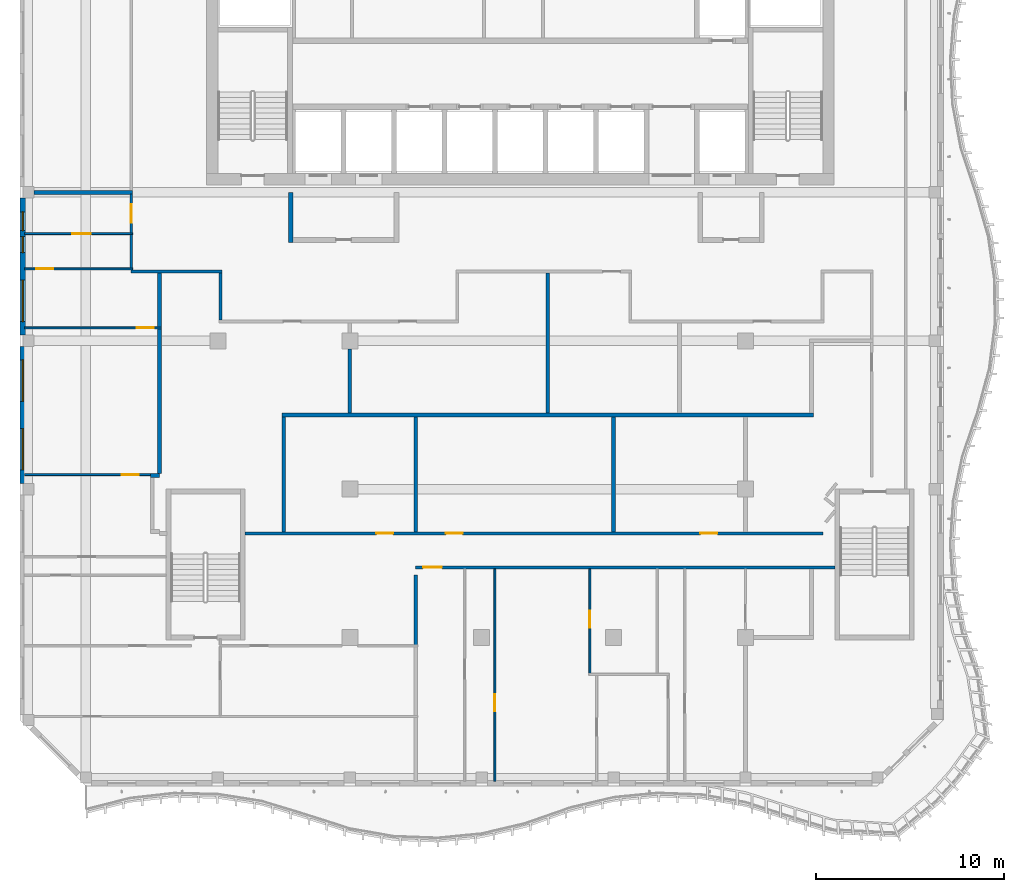
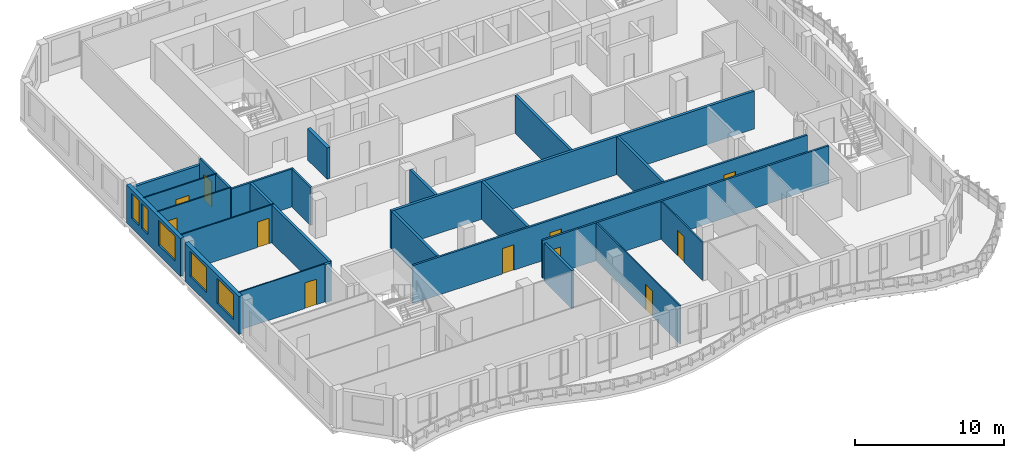
# One storey, part 3 of 17: 26 walls, 11 doors, 5 windows, 16 openings.
"""IFC4 building model written with IfcOpenShell, lengths in metres."""

from ifc_helpers import new_model, si_unit, direction, frame, frame_2d, origin, place, context, subcontext, project, spatial, rectangle, extrude, source, transform, mapped, material, layer, layer_set, type_object, element, fill, save


model = new_model("IFC4")

# Units and contexts
model_context = context("Model", 3, precision=1e-05, world=origin(), true_north=direction((0.0, 1.0)))
body_context = subcontext(model_context, "Body", "Model", "MODEL_VIEW")
ifc_project = project(units=[si_unit("LENGTHUNIT", "METRE"), si_unit("AREAUNIT", "SQUARE_METRE"), si_unit("VOLUMEUNIT", "CUBIC_METRE"), si_unit("PLANEANGLEUNIT", "RADIAN"), si_unit("MASSUNIT", "GRAM", prefix="KILO")], contexts=[model_context])

# Site, building, storey
site_placement = place(None, origin())
site = spatial("IfcSite", under=ifc_project, at=site_placement, CompositionType="ELEMENT")
building_placement = place(site_placement, origin())
building = spatial("IfcBuilding", under=site, at=building_placement, Name="Kilnfold Tower and Market Hall", CompositionType="ELEMENT")
storey_placement = place(building_placement, frame((0.0, 0.0, 308.60009765625)))
storey = spatial("IfcBuildingStorey", under=building, at=storey_placement, Name="L77", CompositionType="ELEMENT", Elevation=308.60009765625)

# Walls
ifc_material_1 = material(Name="Gypsum board on steel studs", Category="steel")
ifc_layer_1 = layer(ifc_material_1, 0.14990234375)
ifc_layer_set_1 = layer_set([ifc_layer_1], Name="Gypsum board on steel studs")
wall_type_1 = type_object("IfcWallType", Name="WALL CORRIDOR 150", PredefinedType="PARTITIONING", material=ifc_layer_set_1)
wall_1_placement = place(storey_placement, frame((-19.60009765625, 3.800048828125, 0.0), z_axis=(0.0, 0.0, 1.0), x_axis=(1.0, 0.0, 0.0)))
element("IfcWall", 1, at=wall_1_placement, inside=storey, type_object=wall_type_1, Name="Partition LY46.1", PredefinedType="PARTITIONING", context=body_context, shape_type="SweptSolid", body=[
    extrude(rectangle(XDim=4.815185546875, YDim=0.14990234375, at=frame_2d((2.40771484375, 0.0))), origin(), (0.0, 0.0, 1.0), 3.119873046875),
])
wall_2_placement = place(storey_placement, frame((-19.60009765625, 3.97802734375, 0.0), z_axis=(0.0, 0.0, 1.0), x_axis=(0.0, 1.0, 0.0)))
element("IfcWall", 2, at=wall_2_placement, inside=storey, type_object=wall_type_1, Name="Partition LY46.2", PredefinedType="PARTITIONING", context=body_context, shape_type="SweptSolid", body=[
    extrude(rectangle(XDim=1.7939453125, YDim=0.14990234375, at=frame_2d((0.89697265625, 0.0))), origin(), (0.0, 0.0, 1.0), 3.119873046875),
])

# Wall, opening, door
wall_3_placement = place(storey_placement, frame((-19.60009765625, 5.85205078125, 0.0), z_axis=(0.0, 0.0, 1.0), x_axis=(0.0, 1.0, 0.0)))
wall_3 = element("IfcWall", 3, at=wall_3_placement, inside=storey, type_object=wall_type_1, Name="Partition LY46.3", PredefinedType="PARTITIONING", context=body_context, shape_type="SweptSolid", body=[
    extrude(rectangle(XDim=2.057861328125, YDim=0.14990234375, at=frame_2d((1.02880859375, 0.0))), origin(), (0.0, 0.0, 1.0), 3.119873046875),
])
opening_1_placement = place(wall_3_placement, frame((0.529052734375, 0.0, 0.0)))
opening_1 = element("IfcOpeningElement", 4, at=opening_1_placement, cuts=wall_3, Name="Opening D1", PredefinedType="OPENING", context=body_context, shape_type="SweptSolid", body=[
    extrude(rectangle(XDim=1.0, YDim=2.10009765625, at=frame_2d((0.5, 1.050048828125))), frame((0.0, 0.0849609375, 0.0), z_axis=(0.0, -1.0, 0.0), x_axis=(1.0, 0.0, 0.0)), (0.0, 0.0, 1.0), 0.169921875),
])
ifc_material_2 = material(Name="Timber veneer door leaf in steel frame", Category="steel")
door_type_1 = type_object("IfcDoorType", Name="DOOR ENTRY 1000 X2100", OperationType="NOTDEFINED", PredefinedType="DOOR", material=ifc_material_2)
door_1_placement = place(opening_1_placement, origin())
door_1 = element("IfcDoor", 5, at=door_1_placement, inside=storey, type_object=door_type_1, Name="Door D1", OperationType="SINGLE_SWING_RIGHT", OverallHeight=2.10009765625, OverallWidth=1.0, PredefinedType="DOOR", context=body_context, shape_type="SweptSolid", body=[
    extrude(rectangle(XDim=1.0, YDim=2.10009765625, at=frame_2d((0.5, 1.050048828125))), frame((0.0, 0.02490234375, 0.0), z_axis=(0.0, -1.0, 0.0), x_axis=(1.0, 0.0, 0.0)), (0.0, 0.0, 1.0), 0.050048828125),
])
fill(opening_1, door_1)

wall_4_placement = place(storey_placement, frame((-4.510009765625, -11.89990234375, 0.0), z_axis=(0.0, 0.0, 1.0), x_axis=(1.0, 0.0, 0.0)))
wall_4 = element("IfcWall", 6, at=wall_4_placement, inside=storey, type_object=wall_type_1, Name="Partition LY46.4", PredefinedType="PARTITIONING", context=body_context, shape_type="SweptSolid", body=[
    extrude(rectangle(XDim=22.260009765625, YDim=0.14990234375, at=frame_2d((11.1298828125, 0.0))), origin(), (0.0, 0.0, 1.0), 3.119873046875),
])
opening_2_placement = place(wall_4_placement, frame((0.403076171875, 0.0, 0.0)))
opening_2 = element("IfcOpeningElement", 7, at=opening_2_placement, cuts=wall_4, Name="Opening D1", PredefinedType="OPENING", context=body_context, shape_type="SweptSolid", body=[
    extrude(rectangle(XDim=1.0, YDim=2.10009765625, at=frame_2d((0.5, 1.050048828125))), frame((0.0, 0.0849609375, 0.0), z_axis=(0.0, -1.0, 0.0), x_axis=(1.0, 0.0, 0.0)), (0.0, 0.0, 1.0), 0.169921875),
])
door_2_placement = place(opening_2_placement, origin())
door_2 = element("IfcDoor", 8, at=door_2_placement, inside=storey, type_object=door_type_1, Name="Door D1", OperationType="SINGLE_SWING_LEFT", OverallHeight=2.10009765625, OverallWidth=1.0, PredefinedType="DOOR", context=body_context, shape_type="SweptSolid", body=[
    extrude(rectangle(XDim=1.0, YDim=2.10009765625, at=frame_2d((0.5, 1.050048828125))), frame((0.0, 0.02490234375, 0.0), z_axis=(0.0, -1.0, 0.0), x_axis=(1.0, 0.0, 0.0)), (0.0, 0.0, 1.0), 0.050048828125),
])
fill(opening_2, door_2)

# Wall
wall_5_placement = place(storey_placement, frame((-14.860107421875, 3.72509765625, 0.0), z_axis=(0.0, 0.0, 1.0), x_axis=(0.0, -1.0, 0.0)))
element("IfcWall", 9, at=wall_5_placement, inside=storey, type_object=wall_type_1, Name="Partition LY46.11", PredefinedType="PARTITIONING", context=body_context, shape_type="SweptSolid", body=[
    extrude(rectangle(XDim=2.5, YDim=0.14990234375, at=frame_2d((1.25, 0.0))), origin(), (0.0, 0.0, 1.0), 3.119873046875),
])

# Wall, openings, doors
wall_6_placement = place(storey_placement, frame((-13.550048828125, -10.10009765625, 0.0), z_axis=(0.0, 0.0, 1.0), x_axis=(1.0, 0.0, 0.0)))
wall_6 = element("IfcWall", 10, at=wall_6_placement, inside=storey, type_object=wall_type_1, Name="Partition LY46.12", PredefinedType="PARTITIONING", context=body_context, shape_type="SweptSolid", body=[
    extrude(rectangle(XDim=30.650146484375, YDim=0.14990234375, at=frame_2d((15.3251953125, 0.0))), origin(), (0.0, 0.0, 1.0), 3.119873046875),
])
opening_3_placement = place(wall_6_placement, frame((6.9560546875, 0.0, 0.0)))
opening_3 = element("IfcOpeningElement", 11, at=opening_3_placement, cuts=wall_6, Name="Opening D2", PredefinedType="OPENING", context=body_context, shape_type="SweptSolid", body=[
    extrude(rectangle(XDim=0.89990234375, YDim=2.10009765625, at=frame_2d((0.449951171875, 1.050048828125))), frame((0.0, 0.0849609375, 0.0), z_axis=(0.0, -1.0, 0.0), x_axis=(1.0, 0.0, 0.0)), (0.0, 0.0, 1.0), 0.169921875),
])
opening_4_placement = place(wall_6_placement, frame((10.64306640625, 0.0, 0.0)))
opening_4 = element("IfcOpeningElement", 12, at=opening_4_placement, cuts=wall_6, Name="Opening D2", PredefinedType="OPENING", context=body_context, shape_type="SweptSolid", body=[
    extrude(rectangle(XDim=0.89990234375, YDim=2.10009765625, at=frame_2d((0.449951171875, 1.050048828125))), frame((0.0, 0.0849609375, 0.0), z_axis=(0.0, -1.0, 0.0), x_axis=(1.0, 0.0, 0.0)), (0.0, 0.0, 1.0), 0.169921875),
])
opening_5_placement = place(wall_6_placement, frame((24.155029296875, 0.0, 0.0)))
opening_5 = element("IfcOpeningElement", 13, at=opening_5_placement, cuts=wall_6, Name="Opening D2", PredefinedType="OPENING", context=body_context, shape_type="SweptSolid", body=[
    extrude(rectangle(XDim=0.89990234375, YDim=2.10009765625, at=frame_2d((0.449951171875, 1.050048828125))), frame((0.0, 0.0849609375, 0.0), z_axis=(0.0, -1.0, 0.0), x_axis=(1.0, 0.0, 0.0)), (0.0, 0.0, 1.0), 0.169921875),
])
ifc_material_3 = material(Name="Timber veneer door leaf in steel frame", Category="steel")
door_type_2 = type_object("IfcDoorType", Name="DOOR ROOM 900 X2100", OperationType="NOTDEFINED", PredefinedType="DOOR", material=ifc_material_3)
door_3_placement = place(opening_3_placement, origin())
door_3 = element("IfcDoor", 14, at=door_3_placement, inside=storey, type_object=door_type_2, Name="Door D2", OperationType="SINGLE_SWING_LEFT", OverallHeight=2.10009765625, OverallWidth=0.89990234375, PredefinedType="DOOR", context=body_context, shape_type="SweptSolid", body=[
    extrude(rectangle(XDim=0.89990234375, YDim=2.10009765625, at=frame_2d((0.449951171875, 1.050048828125))), frame((0.0, 0.02490234375, 0.0), z_axis=(0.0, -1.0, 0.0), x_axis=(1.0, 0.0, 0.0)), (0.0, 0.0, 1.0), 0.050048828125),
])
fill(opening_3, door_3)
door_4_placement = place(opening_4_placement, origin())
door_4 = element("IfcDoor", 15, at=door_4_placement, inside=storey, type_object=door_type_2, Name="Door D2", OperationType="SINGLE_SWING_LEFT", OverallHeight=2.10009765625, OverallWidth=0.89990234375, PredefinedType="DOOR", context=body_context, shape_type="SweptSolid", body=[
    extrude(rectangle(XDim=0.89990234375, YDim=2.10009765625, at=frame_2d((0.449951171875, 1.050048828125))), frame((0.0, 0.02490234375, 0.0), z_axis=(0.0, -1.0, 0.0), x_axis=(1.0, 0.0, 0.0)), (0.0, 0.0, 1.0), 0.050048828125),
])
fill(opening_4, door_4)
door_5_placement = place(opening_5_placement, origin())
door_5 = element("IfcDoor", 16, at=door_5_placement, inside=storey, type_object=door_type_2, Name="Door D2", OperationType="SINGLE_SWING_RIGHT", OverallHeight=2.10009765625, OverallWidth=0.89990234375, PredefinedType="DOOR", context=body_context, shape_type="SweptSolid", body=[
    extrude(rectangle(XDim=0.89990234375, YDim=2.10009765625, at=frame_2d((0.449951171875, 1.050048828125))), frame((0.0, 0.02490234375, 0.0), z_axis=(0.0, -1.0, 0.0), x_axis=(1.0, 0.0, 0.0)), (0.0, 0.0, 1.0), 0.050048828125),
])
fill(opening_5, door_5)

# Wall, opening, door
ifc_material_4 = material(Name="Gypsum board on steel studs", Category="steel")
ifc_layer_2 = layer(ifc_material_4, 0.10009765625)
ifc_layer_set_2 = layer_set([ifc_layer_2], Name="Gypsum board on steel studs")
wall_type_2 = type_object("IfcWallType", Name="WALL PARTITION 100", PredefinedType="PARTITIONING", material=ifc_layer_set_2)
wall_7_placement = place(storey_placement, frame((-18.58203125, -6.98095703125, 0.0), z_axis=(0.0, 0.0, 1.0), x_axis=(-1.0, 0.0, 0.0)))
wall_7 = element("IfcWall", 17, at=wall_7_placement, inside=storey, type_object=wall_type_2, Name="Partition LY46.35", PredefinedType="PARTITIONING", context=body_context, shape_type="SweptSolid", body=[
    extrude(rectangle(XDim=6.66796875, YDim=0.10009765625, at=frame_2d((3.333984375, 0.0))), origin(), (0.0, 0.0, 1.0), 3.119873046875),
])
opening_6_placement = place(wall_7_placement, frame((0.6259765625, 0.0, 0.0)))
opening_6 = element("IfcOpeningElement", 18, at=opening_6_placement, cuts=wall_7, Name="Opening D2", PredefinedType="OPENING", context=body_context, shape_type="SweptSolid", body=[
    extrude(rectangle(XDim=0.89990234375, YDim=2.10009765625, at=frame_2d((0.449951171875, 1.050048828125))), frame((0.0, 0.06005859375, 0.0), z_axis=(0.0, -1.0, 0.0), x_axis=(1.0, 0.0, 0.0)), (0.0, 0.0, 1.0), 0.1201171875),
])
door_6_placement = place(opening_6_placement, origin())
door_6 = element("IfcDoor", 19, at=door_6_placement, inside=storey, type_object=door_type_2, Name="Door D2", OperationType="SINGLE_SWING_RIGHT", OverallHeight=2.10009765625, OverallWidth=0.89990234375, PredefinedType="DOOR", context=body_context, shape_type="SweptSolid", body=[
    extrude(rectangle(XDim=0.89990234375, YDim=2.10009765625, at=frame_2d((0.449951171875, 1.050048828125))), frame((0.0, 0.02490234375, 0.0), z_axis=(0.0, -1.0, 0.0), x_axis=(1.0, 0.0, 0.0)), (0.0, 0.0, 1.0), 0.050048828125),
])
fill(opening_6, door_6)

wall_8_placement = place(storey_placement, frame((-18.0, 0.81201171875, 0.0), z_axis=(0.0, 0.0, 1.0), x_axis=(-1.0, 0.0, 0.0)))
wall_8 = element("IfcWall", 20, at=wall_8_placement, inside=storey, type_object=wall_type_2, Name="Partition LY46.40", PredefinedType="PARTITIONING", context=body_context, shape_type="SweptSolid", body=[
    extrude(rectangle(XDim=7.25, YDim=0.10009765625, at=frame_2d((3.625, 0.0))), origin(), (0.0, 0.0, 1.0), 3.119873046875),
])
opening_7_placement = place(wall_8_placement, frame((0.402099609375, 0.0, 0.0)))
opening_7 = element("IfcOpeningElement", 21, at=opening_7_placement, cuts=wall_8, Name="Opening D2", PredefinedType="OPENING", context=body_context, shape_type="SweptSolid", body=[
    extrude(rectangle(XDim=0.89990234375, YDim=2.10009765625, at=frame_2d((0.449951171875, 1.050048828125))), frame((0.0, 0.06005859375, 0.0), z_axis=(0.0, -1.0, 0.0), x_axis=(1.0, 0.0, 0.0)), (0.0, 0.0, 1.0), 0.1201171875),
])
door_7_placement = place(opening_7_placement, origin())
door_7 = element("IfcDoor", 22, at=door_7_placement, inside=storey, type_object=door_type_2, Name="Door D2", OperationType="SINGLE_SWING_RIGHT", OverallHeight=2.10009765625, OverallWidth=0.89990234375, PredefinedType="DOOR", context=body_context, shape_type="SweptSolid", body=[
    extrude(rectangle(XDim=0.89990234375, YDim=2.10009765625, at=frame_2d((0.449951171875, 1.050048828125))), frame((0.0, 0.02490234375, 0.0), z_axis=(0.0, -1.0, 0.0), x_axis=(1.0, 0.0, 0.0)), (0.0, 0.0, 1.0), 0.050048828125),
])
fill(opening_7, door_7)

wall_9_placement = place(storey_placement, frame((-19.527099609375, 3.93798828125, 0.0), z_axis=(0.0, 0.0, 1.0), x_axis=(-1.0, 0.0, 0.0)))
wall_9 = element("IfcWall", 23, at=wall_9_placement, inside=storey, type_object=wall_type_2, Name="Partition LY46.42", PredefinedType="PARTITIONING", context=body_context, shape_type="SweptSolid", body=[
    extrude(rectangle(XDim=5.722900390625, YDim=0.10009765625, at=frame_2d((2.861328125, 0.0))), origin(), (0.0, 0.0, 1.0), 3.119873046875),
])
opening_8_placement = place(wall_9_placement, frame((4.220947265625, 0.0, 0.0)))
opening_8 = element("IfcOpeningElement", 24, at=opening_8_placement, cuts=wall_9, Name="Opening D2", PredefinedType="OPENING", context=body_context, shape_type="SweptSolid", body=[
    extrude(rectangle(XDim=0.89990234375, YDim=2.10009765625, at=frame_2d((0.449951171875, 1.050048828125))), frame((0.0, 0.06005859375, 0.0), z_axis=(0.0, -1.0, 0.0), x_axis=(1.0, 0.0, 0.0)), (0.0, 0.0, 1.0), 0.1201171875),
])
door_8_placement = place(opening_8_placement, origin())
door_8 = element("IfcDoor", 25, at=door_8_placement, inside=storey, type_object=door_type_2, Name="Door D2", OperationType="SINGLE_SWING_RIGHT", OverallHeight=2.10009765625, OverallWidth=0.89990234375, PredefinedType="DOOR", context=body_context, shape_type="SweptSolid", body=[
    extrude(rectangle(XDim=0.89990234375, YDim=2.10009765625, at=frame_2d((0.449951171875, 1.050048828125))), frame((0.0, 0.02490234375, 0.0), z_axis=(0.0, -1.0, 0.0), x_axis=(1.0, 0.0, 0.0)), (0.0, 0.0, 1.0), 0.050048828125),
])
fill(opening_8, door_8)

wall_10_placement = place(storey_placement, frame((-19.527099609375, 5.81201171875, 0.0), z_axis=(0.0, 0.0, 1.0), x_axis=(-1.0, 0.0, 0.0)))
wall_10 = element("IfcWall", 26, at=wall_10_placement, inside=storey, type_object=wall_type_2, Name="Partition LY46.44", PredefinedType="PARTITIONING", context=body_context, shape_type="SweptSolid", body=[
    extrude(rectangle(XDim=5.722900390625, YDim=0.10009765625, at=frame_2d((2.861328125, 0.0))), origin(), (0.0, 0.0, 1.0), 3.119873046875),
])
opening_9_placement = place(wall_10_placement, frame((2.2109375, 0.0, 0.0)))
opening_9 = element("IfcOpeningElement", 27, at=opening_9_placement, cuts=wall_10, Name="Opening D1", PredefinedType="OPENING", context=body_context, shape_type="SweptSolid", body=[
    extrude(rectangle(XDim=1.0, YDim=2.10009765625, at=frame_2d((0.5, 1.050048828125))), frame((0.0, 0.06005859375, 0.0), z_axis=(0.0, -1.0, 0.0), x_axis=(1.0, 0.0, 0.0)), (0.0, 0.0, 1.0), 0.1201171875),
])
door_9_placement = place(opening_9_placement, origin())
door_9 = element("IfcDoor", 28, at=door_9_placement, inside=storey, type_object=door_type_1, Name="Door D1", OperationType="SINGLE_SWING_RIGHT", OverallHeight=2.10009765625, OverallWidth=1.0, PredefinedType="DOOR", context=body_context, shape_type="SweptSolid", body=[
    extrude(rectangle(XDim=1.0, YDim=2.10009765625, at=frame_2d((0.5, 1.050048828125))), frame((0.0, 0.02490234375, 0.0), z_axis=(0.0, -1.0, 0.0), x_axis=(1.0, 0.0, 0.0)), (0.0, 0.0, 1.0), 0.050048828125),
])
fill(opening_9, door_9)

wall_11_placement = place(storey_placement, frame((-0.300048828125, -23.25, 0.0), z_axis=(0.0, 0.0, 1.0), x_axis=(0.0, 1.0, 0.0)))
wall_11 = element("IfcWall", 29, at=wall_11_placement, inside=storey, type_object=wall_type_2, Name="Partition LY46.47", PredefinedType="PARTITIONING", context=body_context, shape_type="SweptSolid", body=[
    extrude(rectangle(XDim=11.27294921875, YDim=0.10009765625, at=frame_2d((5.636474609375, 0.0))), origin(), (0.0, 0.0, 1.0), 3.119873046875),
])
opening_10_placement = place(wall_11_placement, frame((3.72607421875, 0.0, 0.0)))
opening_10 = element("IfcOpeningElement", 30, at=opening_10_placement, cuts=wall_11, Name="Opening D2", PredefinedType="OPENING", context=body_context, shape_type="SweptSolid", body=[
    extrude(rectangle(XDim=0.89990234375, YDim=2.10009765625, at=frame_2d((0.449951171875, 1.050048828125))), frame((0.0, 0.06005859375, 0.0), z_axis=(0.0, -1.0, 0.0), x_axis=(1.0, 0.0, 0.0)), (0.0, 0.0, 1.0), 0.1201171875),
])
door_10_placement = place(opening_10_placement, origin())
door_10 = element("IfcDoor", 31, at=door_10_placement, inside=storey, type_object=door_type_2, Name="Door D2", OperationType="SINGLE_SWING_RIGHT", OverallHeight=2.10009765625, OverallWidth=0.89990234375, PredefinedType="DOOR", context=body_context, shape_type="SweptSolid", body=[
    extrude(rectangle(XDim=0.89990234375, YDim=2.10009765625, at=frame_2d((0.449951171875, 1.050048828125))), frame((0.0, 0.02490234375, 0.0), z_axis=(0.0, -1.0, 0.0), x_axis=(1.0, 0.0, 0.0)), (0.0, 0.0, 1.0), 0.050048828125),
])
fill(opening_10, door_10)

wall_12_placement = place(storey_placement, frame((4.739990234375, -17.52587890625, 0.0), z_axis=(0.0, 0.0, 1.0), x_axis=(0.0, 1.0, 0.0)))
wall_12 = element("IfcWall", 32, at=wall_12_placement, inside=storey, type_object=wall_type_2, Name="Partition LY46.49", PredefinedType="PARTITIONING", context=body_context, shape_type="SweptSolid", body=[
    extrude(rectangle(XDim=5.548828125, YDim=0.10009765625, at=frame_2d((2.7744140625, 0.0))), origin(), (0.0, 0.0, 1.0), 3.119873046875),
])
opening_11_placement = place(wall_12_placement, frame((2.426025390625, 0.0, 0.0)))
opening_11 = element("IfcOpeningElement", 33, at=opening_11_placement, cuts=wall_12, Name="Opening D2", PredefinedType="OPENING", context=body_context, shape_type="SweptSolid", body=[
    extrude(rectangle(XDim=0.89990234375, YDim=2.10009765625, at=frame_2d((0.449951171875, 1.050048828125))), frame((0.0, 0.06005859375, 0.0), z_axis=(0.0, -1.0, 0.0), x_axis=(1.0, 0.0, 0.0)), (0.0, 0.0, 1.0), 0.1201171875),
])
door_11_placement = place(opening_11_placement, origin())
door_11 = element("IfcDoor", 34, at=door_11_placement, inside=storey, type_object=door_type_2, Name="Door D2", OperationType="SINGLE_SWING_LEFT", OverallHeight=2.10009765625, OverallWidth=0.89990234375, PredefinedType="DOOR", context=body_context, shape_type="SweptSolid", body=[
    extrude(rectangle(XDim=0.89990234375, YDim=2.10009765625, at=frame_2d((0.449951171875, 1.050048828125))), frame((0.0, 0.02490234375, 0.0), z_axis=(0.0, -1.0, 0.0), x_axis=(1.0, 0.0, 0.0)), (0.0, 0.0, 1.0), 0.050048828125),
])
fill(opening_11, door_11)

# Walls
ifc_material_5 = material(Name="Gypsum board on steel studs", Category="steel")
ifc_layer_3 = layer(ifc_material_5, 0.199951171875)
ifc_layer_set_3 = layer_set([ifc_layer_3], Name="Gypsum board on steel studs")
wall_type_3 = type_object("IfcWallType", Name="WALL PARTY 200", PredefinedType="PARTITIONING", material=ifc_layer_set_3)
wall_13_placement = place(storey_placement, frame((-4.5, -16.011962890625, 0.0), z_axis=(0.0, 0.0, 1.0), x_axis=(0.0, 1.0, 0.0)))
element("IfcWall", 35, at=wall_13_placement, inside=storey, type_object=wall_type_3, Name="Partition LY46.33", PredefinedType="PARTITIONING", context=body_context, shape_type="SweptSolid", body=[
    extrude(rectangle(XDim=3.699951171875, YDim=0.199951171875, at=frame_2d((1.85009765625, 0.0))), origin(), (0.0, 0.0, 1.0), 3.119873046875),
])
wall_14_placement = place(storey_placement, frame((-18.58203125, -7.029052734375, 0.0), z_axis=(0.0, 0.0, 1.0), x_axis=(1.0, 0.0, 0.0)))
element("IfcWall", 36, at=wall_14_placement, inside=storey, type_object=wall_type_3, Name="Partition LY46.36", PredefinedType="PARTITIONING", context=body_context, shape_type="SweptSolid", body=[
    extrude(rectangle(XDim=0.48193359375, YDim=0.199951171875, at=frame_2d((0.240966796875, 0.0))), origin(), (0.0, 0.0, 1.0), 3.119873046875),
])
wall_15_placement = place(storey_placement, frame((-18.10009765625, -6.930908203125, 0.0), z_axis=(0.0, 0.0, 1.0), x_axis=(0.0, 1.0, 0.0)))
element("IfcWall", 37, at=wall_15_placement, inside=storey, type_object=wall_type_3, Name="Partition LY46.41", PredefinedType="PARTITIONING", context=body_context, shape_type="SweptSolid", body=[
    extrude(rectangle(XDim=7.69287109375, YDim=0.199951171875, at=frame_2d((3.846435546875, 0.0))), origin(), (0.0, 0.0, 1.0), 3.119873046875),
])
wall_16_placement = place(storey_placement, frame((-18.10009765625, 0.862060546875, 0.0), z_axis=(0.0, 0.0, 1.0), x_axis=(0.0, 1.0, 0.0)))
element("IfcWall", 38, at=wall_16_placement, inside=storey, type_object=wall_type_3, Name="Partition LY46.43", PredefinedType="PARTITIONING", context=body_context, shape_type="SweptSolid", body=[
    extrude(rectangle(XDim=2.86083984375, YDim=0.199951171875, at=frame_2d((1.430419921875, 0.0))), origin(), (0.0, 0.0, 1.0), 3.119873046875),
])
wall_17_placement = place(storey_placement, frame((-19.527099609375, 8.0, 0.0), z_axis=(0.0, 0.0, 1.0), x_axis=(-1.0, 0.0, 0.0)))
element("IfcWall", 39, at=wall_17_placement, inside=storey, type_object=wall_type_3, Name="Partition LY46.45", PredefinedType="PARTITIONING", context=body_context, shape_type="SweptSolid", body=[
    extrude(rectangle(XDim=5.222900390625, YDim=0.199951171875, at=frame_2d((2.611328125, 0.0))), origin(), (0.0, 0.0, 1.0), 2.56982421875),
])
wall_18_placement = place(storey_placement, frame((-8.0, -3.7119140625, 0.0), z_axis=(0.0, 0.0, 1.0), x_axis=(0.0, 1.0, 0.0)))
element("IfcWall", 40, at=wall_18_placement, inside=storey, type_object=wall_type_3, Name="Partition LY46.61", PredefinedType="PARTITIONING", context=body_context, shape_type="SweptSolid", body=[
    extrude(rectangle(XDim=3.411865234375, YDim=0.199951171875, at=frame_2d((1.7060546875, 0.0))), origin(), (0.0, 0.0, 1.0), 3.119873046875),
])
wall_19_placement = place(storey_placement, frame((-11.60009765625, -3.81201171875, 0.0), z_axis=(0.0, 0.0, 1.0), x_axis=(1.0, 0.0, 0.0)))
element("IfcWall", 41, at=wall_19_placement, inside=storey, type_object=wall_type_3, Name="Partition LY46.62", PredefinedType="PARTITIONING", context=body_context, shape_type="SweptSolid", body=[
    extrude(rectangle(XDim=28.2001953125, YDim=0.199951171875, at=frame_2d((14.10009765625, 0.0))), origin(), (0.0, 0.0, 1.0), 3.119873046875),
])
wall_20_placement = place(storey_placement, frame((-11.5, -10.02294921875, 0.0), z_axis=(0.0, 0.0, 1.0), x_axis=(0.0, 1.0, 0.0)))
element("IfcWall", 42, at=wall_20_placement, inside=storey, type_object=wall_type_3, Name="Partition LY46.63", PredefinedType="PARTITIONING", context=body_context, shape_type="SweptSolid", body=[
    extrude(rectangle(XDim=6.11083984375, YDim=0.199951171875, at=frame_2d((3.055419921875, 0.0))), origin(), (0.0, 0.0, 1.0), 3.119873046875),
])
wall_21_placement = place(storey_placement, frame((2.5, -3.7119140625, 0.0), z_axis=(0.0, 0.0, 1.0), x_axis=(0.0, 1.0, 0.0)))
element("IfcWall", 43, at=wall_21_placement, inside=storey, type_object=wall_type_3, Name="Partition LY46.64", PredefinedType="PARTITIONING", context=body_context, shape_type="SweptSolid", body=[
    extrude(rectangle(XDim=7.434814453125, YDim=0.199951171875, at=frame_2d((3.71728515625, 0.0))), origin(), (0.0, 0.0, 1.0), 3.119873046875),
])
for number, where, z_axis, x_axis, name in (
    (44, (-4.5, -10.02294921875, 0.0), (0.0, 0.0, 1.0), (0.0, 1.0, 0.0), "Partition LY46.65"),
    (45, (6.0, -10.02294921875, 0.0), (0.0, 0.0, 1.0), (0.0, 1.0, 0.0), "Partition LY46.66"),
):
    element("IfcWall", number, at=place(storey_placement, frame(where, z_axis=z_axis, x_axis=x_axis)), inside=storey, type_object=wall_type_3, Name=name, PredefinedType="PARTITIONING", context=body_context, shape_type="SweptSolid", body=[
        extrude(rectangle(XDim=6.11083984375, YDim=0.199951171875, at=frame_2d((3.055419921875, 0.0))), origin(), (0.0, 0.0, 1.0), 3.119873046875),
    ])

# Wall, openings, windows
ifc_material_6 = material(Name="Precast concrete C50/60", Category="concrete")
ifc_layer_4 = layer(ifc_material_6, 0.300048828125)
ifc_layer_set_4 = layer_set([ifc_layer_4], Name="Precast concrete C50/60")
wall_type_4 = type_object("IfcWallType", Name="PRECAST WALL 300", PredefinedType="SOLIDWALL", material=ifc_layer_set_4)
shared_shape_1 = source(origin(), body_context, "Body", "SweptSolid", [
    extrude(rectangle(XDim=7.27490234375, YDim=0.300048828125, at=frame_2d((3.637451171875, 0.0))), origin(), (0.0, 0.0, 1.0), 3.119873046875),
])
wall_22_placement = place(storey_placement, frame((-25.35009765625, 7.699951171875, 0.0), z_axis=(0.0, 0.0, 1.0), x_axis=(0.0, -1.0, 0.0)))
wall_22 = element("IfcWall", 46, at=wall_22_placement, inside=storey, type_object=wall_type_4, Name="External wall L77 W", PredefinedType="SOLIDWALL", context=body_context, shape_type="MappedRepresentation", body=[
    mapped(shared_shape_1, transform((0.0, 0.0, 0.0))),
])
opening_12_placement = place(wall_22_placement, frame((0.728271484375, 0.0, 0.800048828125)))
opening_12 = element("IfcOpeningElement", 47, at=opening_12_placement, cuts=wall_22, Name="Opening W3-A", PredefinedType="OPENING", context=body_context, shape_type="SweptSolid", body=[
    extrude(rectangle(XDim=1.0, YDim=2.050048828125, at=frame_2d((0.5, 1.02490234375))), frame((0.0, 0.16015625, 0.0), z_axis=(0.0, -1.0, 0.0), x_axis=(1.0, 0.0, 0.0)), (0.0, 0.0, 1.0), 0.320068359375),
])
opening_13_placement = place(wall_22_placement, frame((4.356201171875, 0.0, 0.800048828125)))
opening_13 = element("IfcOpeningElement", 48, at=opening_13_placement, cuts=wall_22, Name="Opening W3", PredefinedType="OPENING", context=body_context, shape_type="SweptSolid", body=[
    extrude(rectangle(XDim=2.199951171875, YDim=2.050048828125, at=frame_2d((1.10009765625, 1.02490234375))), frame((0.0, 0.16015625, 0.0), z_axis=(0.0, -1.0, 0.0), x_axis=(1.0, 0.0, 0.0)), (0.0, 0.0, 1.0), 0.320068359375),
])
opening_14_placement = place(wall_22_placement, frame((2.053466796875, 0.0, 0.800048828125)))
opening_14 = element("IfcOpeningElement", 49, at=opening_14_placement, cuts=wall_22, Name="Opening W3-B", PredefinedType="OPENING", context=body_context, shape_type="SweptSolid", body=[
    extrude(rectangle(XDim=0.85009765625, YDim=2.050048828125, at=frame_2d((0.425048828125, 1.02490234375))), frame((0.0, 0.16015625, 0.0), z_axis=(0.0, -1.0, 0.0), x_axis=(1.0, 0.0, 0.0)), (0.0, 0.0, 1.0), 0.320068359375),
])
ifc_material_7 = material(Name="Aluminium frame and double glazing", Category="aluminium")
window_type_1 = type_object("IfcWindowType", Name="WINDOW W3 2200X2050", PartitioningType="SINGLE_PANEL", PredefinedType="WINDOW", material=ifc_material_7)
window_1_placement = place(opening_13_placement, origin())
window_1 = element("IfcWindow", 50, at=window_1_placement, inside=storey, type_object=window_type_1, Name="Window W3 L77 W-2", OverallHeight=2.050048828125, OverallWidth=2.199951171875, PartitioningType="SINGLE_PANEL", PredefinedType="WINDOW", context=body_context, shape_type="SweptSolid", body=[
    extrude(rectangle(XDim=2.199951171875, YDim=2.050048828125, at=frame_2d((1.10009765625, 1.02490234375))), frame((0.0, 0.030029296875, 0.0), z_axis=(0.0, -1.0, 0.0), x_axis=(1.0, 0.0, 0.0)), (0.0, 0.0, 1.0), 0.06005859375),
])
fill(opening_13, window_1)
ifc_material_8 = material(Name="Aluminium frame and double glazing", Category="aluminium")
window_type_2 = type_object("IfcWindowType", Name="WINDOW W3-A 1000X2050", PartitioningType="SINGLE_PANEL", PredefinedType="WINDOW", material=ifc_material_8)
window_2_placement = place(opening_12_placement, origin())
window_2 = element("IfcWindow", 51, at=window_2_placement, inside=storey, type_object=window_type_2, Name="Window W3-A L77 W-1", OverallHeight=2.050048828125, OverallWidth=1.0, PartitioningType="SINGLE_PANEL", PredefinedType="WINDOW", context=body_context, shape_type="SweptSolid", body=[
    extrude(rectangle(XDim=1.0, YDim=2.050048828125, at=frame_2d((0.5, 1.02490234375))), frame((0.0, 0.030029296875, 0.0), z_axis=(0.0, -1.0, 0.0), x_axis=(1.0, 0.0, 0.0)), (0.0, 0.0, 1.0), 0.06005859375),
])
fill(opening_12, window_2)
ifc_material_9 = material(Name="Aluminium frame and double glazing", Category="aluminium")
window_type_3 = type_object("IfcWindowType", Name="WINDOW W3-B 850X2050", PartitioningType="SINGLE_PANEL", PredefinedType="WINDOW", material=ifc_material_9)
window_3_placement = place(opening_14_placement, origin())
window_3 = element("IfcWindow", 52, at=window_3_placement, inside=storey, type_object=window_type_3, Name="Window W3-A L77 W-1", OverallHeight=2.050048828125, OverallWidth=0.85009765625, PartitioningType="SINGLE_PANEL", PredefinedType="WINDOW", context=body_context, shape_type="SweptSolid", body=[
    extrude(rectangle(XDim=0.85009765625, YDim=2.050048828125, at=frame_2d((0.425048828125, 1.02490234375))), frame((0.0, 0.030029296875, 0.0), z_axis=(0.0, -1.0, 0.0), x_axis=(1.0, 0.0, 0.0)), (0.0, 0.0, 1.0), 0.06005859375),
])
fill(opening_14, window_3)

wall_23_placement = place(storey_placement, frame((-25.35009765625, -0.175048828125, 0.0), z_axis=(0.0, 0.0, 1.0), x_axis=(0.0, -1.0, 0.0)))
wall_23 = element("IfcWall", 53, at=wall_23_placement, inside=storey, type_object=wall_type_4, Name="External wall L77 W", PredefinedType="SOLIDWALL", context=body_context, shape_type="MappedRepresentation", body=[
    mapped(shared_shape_1, transform((0.0, 0.0, 0.0))),
])
opening_15_placement = place(wall_23_placement, frame((0.71875, 0.0, 0.800048828125)))
opening_15 = element("IfcOpeningElement", 54, at=opening_15_placement, cuts=wall_23, Name="Opening W3", PredefinedType="OPENING", context=body_context, shape_type="SweptSolid", body=[
    extrude(rectangle(XDim=2.199951171875, YDim=2.050048828125, at=frame_2d((1.10009765625, 1.02490234375))), frame((0.0, 0.16015625, 0.0), z_axis=(0.0, -1.0, 0.0), x_axis=(1.0, 0.0, 0.0)), (0.0, 0.0, 1.0), 0.320068359375),
])
opening_16_placement = place(wall_23_placement, frame((4.356201171875, 0.0, 0.800048828125)))
opening_16 = element("IfcOpeningElement", 55, at=opening_16_placement, cuts=wall_23, Name="Opening W3", PredefinedType="OPENING", context=body_context, shape_type="SweptSolid", body=[
    extrude(rectangle(XDim=2.199951171875, YDim=2.050048828125, at=frame_2d((1.10009765625, 1.02490234375))), frame((0.0, 0.16015625, 0.0), z_axis=(0.0, -1.0, 0.0), x_axis=(1.0, 0.0, 0.0)), (0.0, 0.0, 1.0), 0.320068359375),
])
window_4_placement = place(opening_15_placement, origin())
window_4 = element("IfcWindow", 56, at=window_4_placement, inside=storey, type_object=window_type_1, Name="Window W3 L77 W-1", OverallHeight=2.050048828125, OverallWidth=2.199951171875, PartitioningType="SINGLE_PANEL", PredefinedType="WINDOW", context=body_context, shape_type="SweptSolid", body=[
    extrude(rectangle(XDim=2.199951171875, YDim=2.050048828125, at=frame_2d((1.10009765625, 1.02490234375))), frame((0.0, 0.030029296875, 0.0), z_axis=(0.0, -1.0, 0.0), x_axis=(1.0, 0.0, 0.0)), (0.0, 0.0, 1.0), 0.06005859375),
])
fill(opening_15, window_4)
window_5_placement = place(opening_16_placement, origin())
window_5 = element("IfcWindow", 57, at=window_5_placement, inside=storey, type_object=window_type_1, Name="Window W3 L77 W-2", OverallHeight=2.050048828125, OverallWidth=2.199951171875, PartitioningType="SINGLE_PANEL", PredefinedType="WINDOW", context=body_context, shape_type="SweptSolid", body=[
    extrude(rectangle(XDim=2.199951171875, YDim=2.050048828125, at=frame_2d((1.10009765625, 1.02490234375))), frame((0.0, 0.030029296875, 0.0), z_axis=(0.0, -1.0, 0.0), x_axis=(1.0, 0.0, 0.0)), (0.0, 0.0, 1.0), 0.06005859375),
])
fill(opening_16, window_5)

# Wall
ifc_material_10 = material(Name="Gypsum shaft wall system")
ifc_layer_5 = layer(ifc_material_10, 0.25)
ifc_layer_set_5 = layer_set([ifc_layer_5], Name="Gypsum shaft wall system")
wall_type_5 = type_object("IfcWallType", Name="LOBBY WALL 250", PredefinedType="PARTITIONING", material=ifc_layer_set_5)
shared_shape_2 = source(origin(), body_context, "Body", "SweptSolid", [
    extrude(rectangle(XDim=2.64990234375, YDim=0.25, at=frame_2d((1.324951171875, 0.0))), origin(), (0.0, 0.0, 1.0), 2.56982421875),
])
wall_24_placement = place(storey_placement, frame((-11.135009765625, 5.35009765625, 0.0), z_axis=(0.0, 0.0, 1.0), x_axis=(0.0, 1.0, 0.0)))
element("IfcWall", 58, at=wall_24_placement, inside=storey, type_object=wall_type_5, Name="Firefighting lobby wall", PredefinedType="PARTITIONING", context=body_context, shape_type="MappedRepresentation", body=[
    mapped(shared_shape_2, transform((0.0, 0.0, 0.0))),
])

save(model, "model.ifc")
